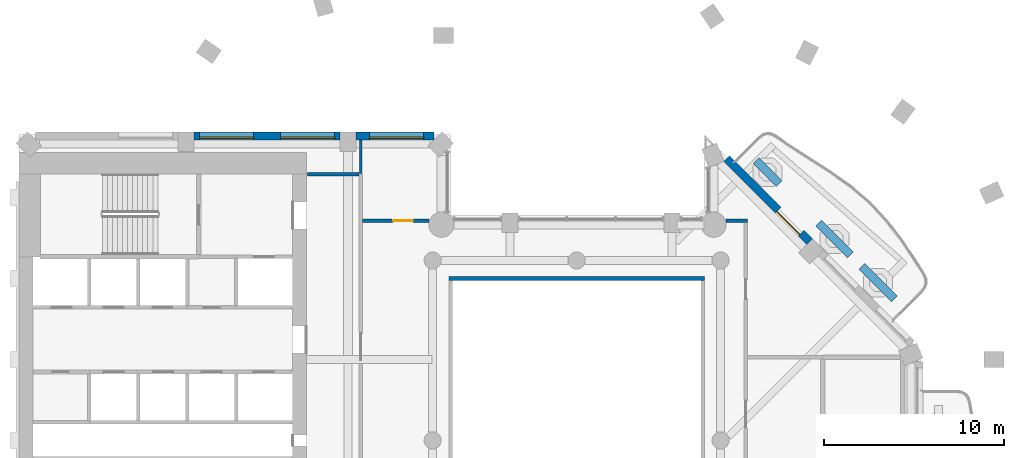
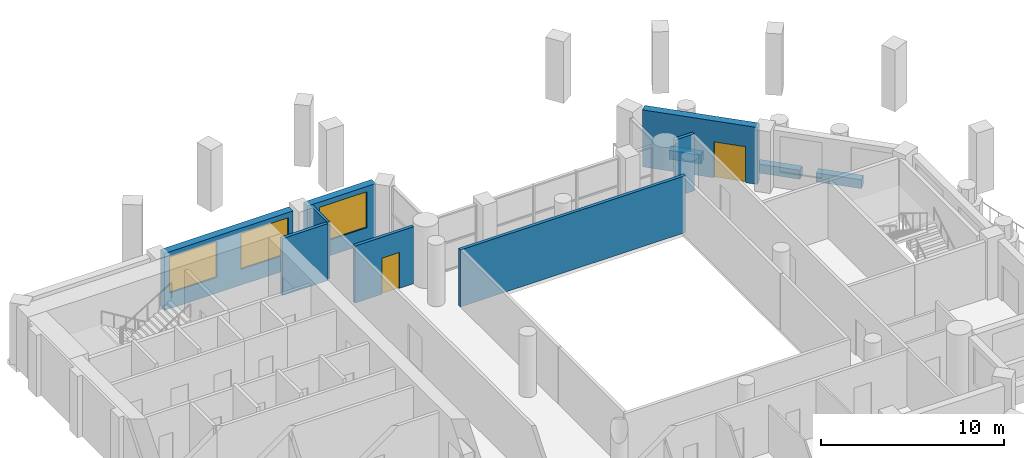
# One storey, part 7 of 15: 11 walls, 3 windows, 2 doors, 5 openings.
"""IFC4 building model written with IfcOpenShell, lengths in metres."""

from ifc_helpers import new_model, si_unit, direction, frame, frame_2d, origin, place, context, subcontext, project, spatial, rectangle, extrude, material, layer, layer_set, type_object, element, fill, save


model = new_model("IFC4")

# Units and contexts
model_context = context("Model", 3, precision=1e-05, world=origin(), true_north=direction((0.0, 1.0)))
body_context = subcontext(model_context, "Body", "Model", "MODEL_VIEW")
ifc_project = project(units=[si_unit("LENGTHUNIT", "METRE"), si_unit("AREAUNIT", "SQUARE_METRE"), si_unit("VOLUMEUNIT", "CUBIC_METRE"), si_unit("PLANEANGLEUNIT", "RADIAN"), si_unit("MASSUNIT", "GRAM", prefix="KILO")], contexts=[model_context])

# Site, building, storey
site_placement = place(None, origin())
site = spatial("IfcSite", under=ifc_project, at=site_placement, CompositionType="ELEMENT")
building_placement = place(site_placement, origin())
building = spatial("IfcBuilding", under=site, at=building_placement, Name="Cypress Arch Tower", CompositionType="ELEMENT")
storey_placement = place(building_placement, frame((0.0, 0.0, 164.60009765625)))
storey = spatial("IfcBuildingStorey", under=building, at=storey_placement, Name="L35", CompositionType="ELEMENT", Elevation=164.60009765625)

# Walls
ifc_material_1 = material(Name="Concrete C40/50, waterproofed", Category="concrete")
ifc_layer_1 = layer(ifc_material_1, 0.449951171875)
ifc_layer_set_1 = layer_set([ifc_layer_1], Name="Balcony planter wall PW450")
wall_type_1 = type_object("IfcWallType", Name="Balcony planter wall PW450", PredefinedType="SOLIDWALL", material=ifc_layer_set_1)
wall_1_placement = place(storey_placement, frame((18.650390625, 7.86376953125, 0.0), z_axis=(0.0, 0.0, 1.0), x_axis=(-0.707059037574, 0.707154521576, 0.0)))
element("IfcWall", 1, at=wall_1_placement, inside=storey, type_object=wall_type_1, Name="Balcony planter wall L35-B05.1", PredefinedType="SOLIDWALL", context=body_context, shape_type="SweptSolid", body=[
    extrude(rectangle(XDim=2.556884765625, YDim=0.449951171875, at=frame_2d((1.2783203125, 0.0))), origin(), (0.0, 0.0, 1.0), 0.599853515625),
])
wall_2_placement = place(storey_placement, frame((16.2060546875, 10.30810546875, 0.0), z_axis=(0.0, 0.0, 1.0), x_axis=(-0.707057827829, 0.707155731156, 0.0)))
element("IfcWall", 2, at=wall_2_placement, inside=storey, type_object=wall_type_1, Name="Balcony planter wall L35-B05.2", PredefinedType="SOLIDWALL", context=body_context, shape_type="SweptSolid", body=[
    extrude(rectangle(XDim=2.49365234375, YDim=0.449951171875, at=frame_2d((1.246826171875, 0.0))), origin(), (0.0, 0.0, 1.0), 0.599853515625),
])
wall_3_placement = place(storey_placement, frame((12.250732421875, 14.263427734375, 0.0), z_axis=(0.0, 0.0, 1.0), x_axis=(-0.707039709166, 0.707173846846, 0.0)))
element("IfcWall", 3, at=wall_3_placement, inside=storey, type_object=wall_type_1, Name="Balcony planter wall L35-B05.3", PredefinedType="SOLIDWALL", context=body_context, shape_type="SweptSolid", body=[
    extrude(rectangle(XDim=1.820068359375, YDim=0.449951171875, at=frame_2d((0.91015625, 0.0))), origin(), (0.0, 0.0, 1.0), 0.599853515625),
])

# Wall, opening, door
ifc_material_2 = material(Name="Brick (red buff blend)", Category="masonry")
ifc_layer_2 = layer(ifc_material_2, 0.449951171875)
ifc_layer_set_2 = layer_set([ifc_layer_2], Name="Brick pier and spandrel wall BW450")
wall_type_2 = type_object("IfcWallType", Name="Brick pier and spandrel wall BW450", PredefinedType="SOLIDWALL", material=ifc_layer_set_2)
wall_4_placement = place(storey_placement, frame((13.94091796875, 11.052978515625, 0.0), z_axis=(0.0, 0.0, 1.0), x_axis=(-0.707106781187, 0.707106781187, 0.0)))
wall_4 = element("IfcWall", 4, at=wall_4_placement, inside=storey, type_object=wall_type_2, Name="Brick wall L35 B05.1", PredefinedType="SOLIDWALL", context=body_context, shape_type="SweptSolid", body=[
    extrude(rectangle(XDim=6.505126953125, YDim=0.449951171875, at=frame_2d((3.25244140625, 0.0))), origin(), (0.0, 0.0, 1.0), 3.7998046875),
])
opening_1_placement = place(wall_4_placement, frame((0.665283203125, 0.0, 0.0)))
opening_1 = element("IfcOpeningElement", 5, at=opening_1_placement, cuts=wall_4, Name="Opening D-L35-B05.1.1", PredefinedType="OPENING", context=body_context, shape_type="SweptSolid", body=[
    extrude(rectangle(XDim=1.800048828125, YDim=2.39990234375, at=frame_2d((0.89990234375, 1.199951171875))), frame((0.0, 0.23486328125, 0.0), z_axis=(0.0, -1.0, 0.0), x_axis=(1.0, 0.0, 0.0)), (0.0, 0.0, 1.0), 0.469970703125),
])
ifc_material_3 = material(Name="Anodised aluminium, bronze finish, laminated low-emissivity double glazing, large-missile impact rated", Category="aluminium")
door_type_1 = type_object("IfcDoorType", Name="Balcony sliding door 1800x2400", OperationType="SLIDING_TO_LEFT", PredefinedType="DOOR", material=ifc_material_3)
door_1_placement = place(opening_1_placement, origin())
door_1 = element("IfcDoor", 6, at=door_1_placement, inside=storey, type_object=door_type_1, Name="Balcony door L35 B05.1.1", OperationType="SLIDING_TO_LEFT", OverallHeight=2.39990234375, OverallWidth=1.800048828125, PredefinedType="DOOR", context=body_context, shape_type="SweptSolid", body=[
    extrude(rectangle(XDim=1.800048828125, YDim=2.39990234375, at=frame_2d((0.89990234375, 1.199951171875))), frame((0.0, 0.1298828125, 0.0), z_axis=(0.0, -1.0, 0.0), x_axis=(1.0, 0.0, 0.0)), (0.0, 0.0, 1.0), 0.050048828125),
])
fill(opening_1, door_1)

# Wall, opening, window
wall_5_placement = place(storey_placement, frame((-6.936279296875, 16.925048828125, 0.0), z_axis=(0.0, 0.0, 1.0), x_axis=(-1.0, 0.0, 0.0)))
wall_5 = element("IfcWall", 7, at=wall_5_placement, inside=storey, type_object=wall_type_2, Name="Brick wall L35 B09.0", PredefinedType="SOLIDWALL", context=body_context, shape_type="SweptSolid", body=[
    extrude(rectangle(XDim=4.313720703125, YDim=0.449951171875, at=frame_2d((2.15673828125, 0.0))), origin(), (0.0, 0.0, 1.0), 3.7998046875),
])
opening_2_placement = place(wall_5_placement, frame((0.563720703125, 0.0, 1.050048828125)))
opening_2 = element("IfcOpeningElement", 8, at=opening_2_placement, cuts=wall_5, Name="Opening W300O", PredefinedType="OPENING", context=body_context, shape_type="SweptSolid", body=[
    extrude(rectangle(XDim=3.0, YDim=2.39990234375, at=frame_2d((1.5, 1.199951171875))), frame((0.0, 0.23486328125, 0.0), z_axis=(0.0, -1.0, 0.0), x_axis=(1.0, 0.0, 0.0)), (0.0, 0.0, 1.0), 0.469970703125),
])
ifc_material_4 = material(Name="Anodised aluminium, bronze finish, clear low-emissivity double glazing", Category="aluminium")
window_type = type_object("IfcWindowType", Name="Window Office 3000x2400", PartitioningType="SINGLE_PANEL", PredefinedType="WINDOW", material=ifc_material_4)
window_1_placement = place(opening_2_placement, origin())
window_1 = element("IfcWindow", 9, at=window_1_placement, inside=storey, type_object=window_type, Name="Window L35 B09.0.1", OverallHeight=2.39990234375, OverallWidth=3.0, PartitioningType="SINGLE_PANEL", PredefinedType="WINDOW", context=body_context, shape_type="SweptSolid", body=[
    extrude(rectangle(XDim=3.0, YDim=2.39990234375, at=frame_2d((1.5, 1.199951171875))), frame((0.0, 0.135009765625, 0.0), z_axis=(0.0, -1.0, 0.0), x_axis=(1.0, 0.0, 0.0)), (0.0, 0.0, 1.0), 0.06005859375),
])
fill(opening_2, window_1)

# Wall, openings, windows
wall_6_placement = place(storey_placement, frame((-12.14990234375, 16.925048828125, 0.0), z_axis=(0.0, 0.0, 1.0), x_axis=(-1.0, 0.0, 0.0)))
wall_6 = element("IfcWall", 10, at=wall_6_placement, inside=storey, type_object=wall_type_2, Name="Brick wall L35 B09.1", PredefinedType="SOLIDWALL", context=body_context, shape_type="SweptSolid", body=[
    extrude(rectangle(XDim=8.10009765625, YDim=0.449951171875, at=frame_2d((4.050048828125, 0.0))), origin(), (0.0, 0.0, 1.0), 3.7998046875),
])
opening_3_placement = place(wall_6_placement, frame((0.300048828125, 0.0, 1.050048828125)))
opening_3 = element("IfcOpeningElement", 11, at=opening_3_placement, cuts=wall_6, Name="Opening W300O", PredefinedType="OPENING", context=body_context, shape_type="SweptSolid", body=[
    extrude(rectangle(XDim=3.0, YDim=2.39990234375, at=frame_2d((1.5, 1.199951171875))), frame((0.0, 0.23486328125, 0.0), z_axis=(0.0, -1.0, 0.0), x_axis=(1.0, 0.0, 0.0)), (0.0, 0.0, 1.0), 0.469970703125),
])
opening_4_placement = place(wall_6_placement, frame((4.800048828125, 0.0, 1.050048828125)))
opening_4 = element("IfcOpeningElement", 12, at=opening_4_placement, cuts=wall_6, Name="Opening W300O", PredefinedType="OPENING", context=body_context, shape_type="SweptSolid", body=[
    extrude(rectangle(XDim=3.0, YDim=2.39990234375, at=frame_2d((1.5, 1.199951171875))), frame((0.0, 0.23486328125, 0.0), z_axis=(0.0, -1.0, 0.0), x_axis=(1.0, 0.0, 0.0)), (0.0, 0.0, 1.0), 0.469970703125),
])
window_2_placement = place(opening_3_placement, origin())
window_2 = element("IfcWindow", 13, at=window_2_placement, inside=storey, type_object=window_type, Name="Window L35 B09.1.1", OverallHeight=2.39990234375, OverallWidth=3.0, PartitioningType="SINGLE_PANEL", PredefinedType="WINDOW", context=body_context, shape_type="SweptSolid", body=[
    extrude(rectangle(XDim=3.0, YDim=2.39990234375, at=frame_2d((1.5, 1.199951171875))), frame((0.0, 0.135009765625, 0.0), z_axis=(0.0, -1.0, 0.0), x_axis=(1.0, 0.0, 0.0)), (0.0, 0.0, 1.0), 0.06005859375),
])
fill(opening_3, window_2)
window_3_placement = place(opening_4_placement, origin())
window_3 = element("IfcWindow", 14, at=window_3_placement, inside=storey, type_object=window_type, Name="Window L35 B09.1.2", OverallHeight=2.39990234375, OverallWidth=3.0, PartitioningType="SINGLE_PANEL", PredefinedType="WINDOW", context=body_context, shape_type="SweptSolid", body=[
    extrude(rectangle(XDim=3.0, YDim=2.39990234375, at=frame_2d((1.5, 1.199951171875))), frame((0.0, 0.135009765625, 0.0), z_axis=(0.0, -1.0, 0.0), x_axis=(1.0, 0.0, 0.0)), (0.0, 0.0, 1.0), 0.06005859375),
])
fill(opening_4, window_3)

# Wall
ifc_material_5 = material(Name="Concrete blockwork, plastered, rated", Category="masonry")
ifc_layer_3 = layer(ifc_material_5, 0.199951171875)
ifc_layer_set_3 = layer_set([ifc_layer_3], Name="Corridor wall FW200")
wall_type_3 = type_object("IfcWallType", Name="Corridor wall FW200", PredefinedType="PARTITIONING", material=ifc_layer_set_3)
wall_7_placement = place(storey_placement, frame((-13.969970703125, 14.800048828125, 0.0), z_axis=(0.0, 0.0, 1.0), x_axis=(1.0, 0.0, 0.0)))
element("IfcWall", 15, at=wall_7_placement, inside=storey, type_object=wall_type_3, Name="Corridor wall", PredefinedType="PARTITIONING", context=body_context, shape_type="SweptSolid", body=[
    extrude(rectangle(XDim=2.869873046875, YDim=0.199951171875, at=frame_2d((1.43505859375, 0.0))), origin(), (0.0, 0.0, 1.0), 3.7998046875),
])

# Wall, opening, door
wall_8_placement = place(storey_placement, frame((-10.89990234375, 12.199951171875, 0.0), z_axis=(0.0, 0.0, 1.0), x_axis=(1.0, 0.0, 0.0)))
wall_8 = element("IfcWall", 16, at=wall_8_placement, inside=storey, type_object=wall_type_3, Name="Corridor wall", PredefinedType="PARTITIONING", context=body_context, shape_type="SweptSolid", body=[
    extrude(rectangle(XDim=3.7041015625, YDim=0.199951171875, at=frame_2d((1.85205078125, 0.0))), origin(), (0.0, 0.0, 1.0), 3.7998046875),
])
opening_5_placement = place(wall_8_placement, frame((1.699951171875, 0.0, 0.0)))
opening_5 = element("IfcOpeningElement", 17, at=opening_5_placement, cuts=wall_8, Name="Opening D01", PredefinedType="OPENING", context=body_context, shape_type="SweptSolid", body=[
    extrude(rectangle(XDim=1.10009765625, YDim=2.39990234375, at=frame_2d((0.550048828125, 1.199951171875))), frame((0.0, 0.10986328125, 0.0), z_axis=(0.0, -1.0, 0.0), x_axis=(1.0, 0.0, 0.0)), (0.0, 0.0, 1.0), 0.219970703125),
])
ifc_material_6 = material(Name="Timber flush door, fire resisting, self-closing", Category="wood")
door_type_2 = type_object("IfcDoorType", Name="Unit entrance door D01 1100x2400", OperationType="SINGLE_SWING_LEFT", PredefinedType="DOOR", material=ifc_material_6)
door_2_placement = place(opening_5_placement, origin())
door_2 = element("IfcDoor", 18, at=door_2_placement, inside=storey, type_object=door_type_2, Name="Unit entrance door", OperationType="SINGLE_SWING_RIGHT", OverallHeight=2.39990234375, OverallWidth=1.10009765625, PredefinedType="DOOR", context=body_context, shape_type="SweptSolid", body=[
    extrude(rectangle(XDim=1.10009765625, YDim=2.39990234375, at=frame_2d((0.550048828125, 1.199951171875))), frame((0.0, 0.02490234375, 0.0), z_axis=(0.0, -1.0, 0.0), x_axis=(1.0, 0.0, 0.0)), (0.0, 0.0, 1.0), 0.050048828125),
])
fill(opening_5, door_2)

# Walls
wall_9_placement = place(storey_placement, frame((-6.10009765625, 9.0, 0.0), z_axis=(0.0, 0.0, 1.0), x_axis=(1.0, 0.0, 0.0)))
element("IfcWall", 19, at=wall_9_placement, inside=storey, type_object=wall_type_3, Name="Corridor wall", PredefinedType="PARTITIONING", context=body_context, shape_type="SweptSolid", body=[
    extrude(rectangle(XDim=14.2001953125, YDim=0.199951171875, at=frame_2d((7.10009765625, 0.0))), origin(), (0.0, 0.0, 1.0), 3.7998046875),
])
wall_10_placement = place(storey_placement, frame((9.295654296875, 12.199951171875, 0.0), z_axis=(0.0, 0.0, 1.0), x_axis=(1.0, 0.0, 0.0)))
element("IfcWall", 20, at=wall_10_placement, inside=storey, type_object=wall_type_3, Name="Corridor wall", PredefinedType="PARTITIONING", context=body_context, shape_type="SweptSolid", body=[
    extrude(rectangle(XDim=1.204345703125, YDim=0.199951171875, at=frame_2d((0.60205078125, 0.0))), origin(), (0.0, 0.0, 1.0), 3.7998046875),
])
ifc_material_7 = material(Name="Blockwork, plastered both sides", Category="masonry")
ifc_layer_4 = layer(ifc_material_7, 0.14990234375)
ifc_layer_set_4 = layer_set([ifc_layer_4], Name="Partition PW150")
wall_type_4 = type_object("IfcWallType", Name="Partition PW150", PredefinedType="PARTITIONING", material=ifc_layer_set_4)
wall_11_placement = place(storey_placement, frame((-11.0, 14.820068359375, 0.0), z_axis=(0.0, 0.0, 1.0), x_axis=(0.0, 1.0, 0.0)))
element("IfcWall", 21, at=wall_11_placement, inside=storey, type_object=wall_type_4, Name="Partition", PredefinedType="PARTITIONING", context=body_context, shape_type="SweptSolid", body=[
    extrude(rectangle(XDim=1.8798828125, YDim=0.14990234375, at=frame_2d((0.93994140625, 0.0))), origin(), (0.0, 0.0, 1.0), 3.7998046875),
])

save(model, "model.ifc")
